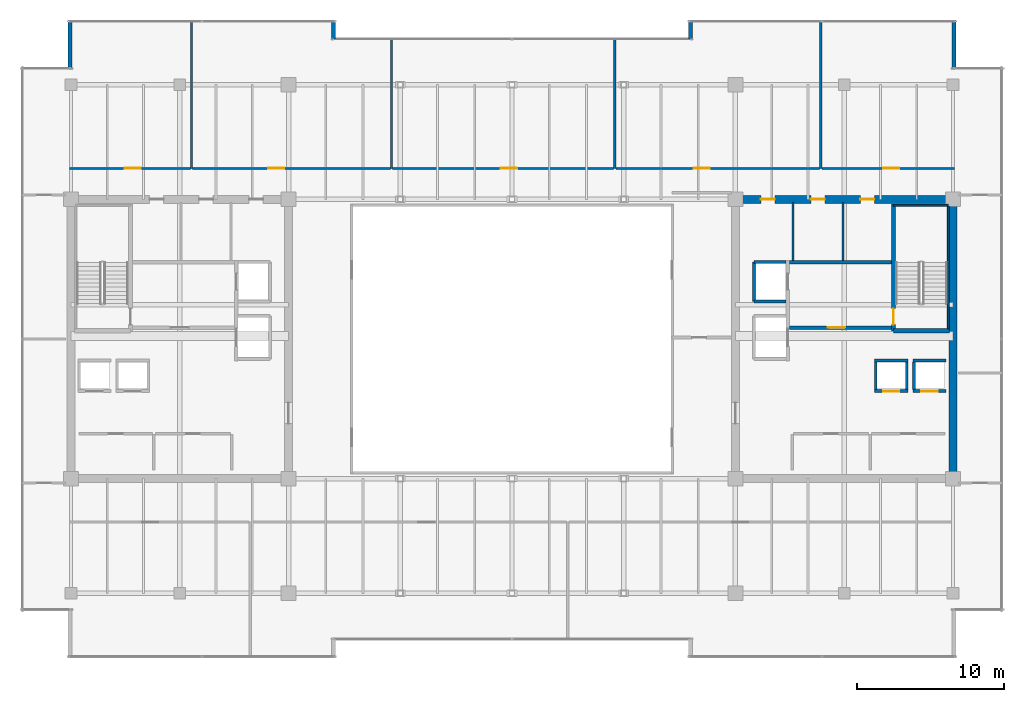
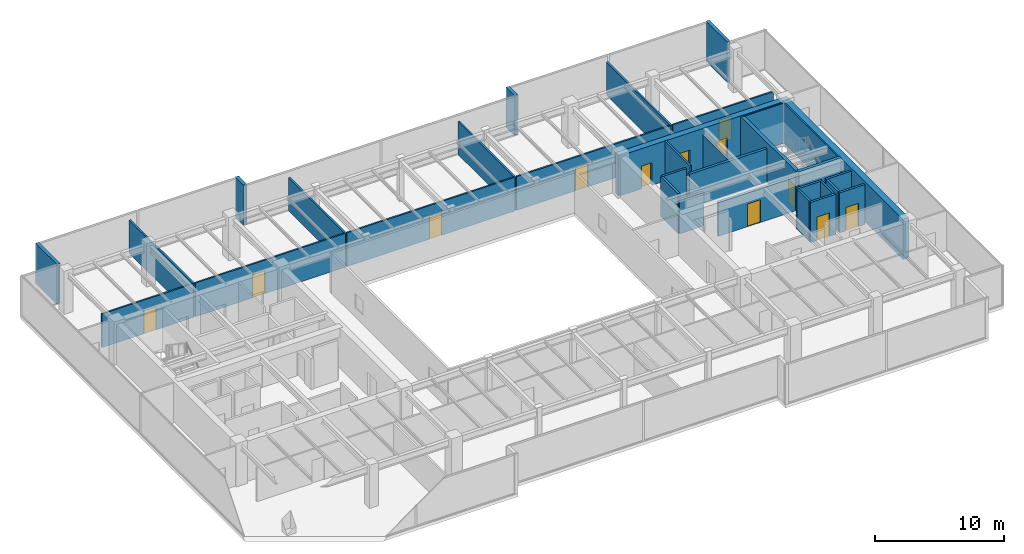
# One storey, part 30 of 33: 33 walls, 12 doors, 12 openings.
"""IFC4 building model written with IfcOpenShell, lengths in metres."""

from ifc_helpers import new_model, si_unit, direction, frame, frame_2d, origin, place, context, subcontext, project, spatial, rectangle, extrude, source, transform, mapped, material, layer, layer_set, type_object, type_shapes, element, fill, save


model = new_model("IFC4")

# Units and contexts
model_context = context("Model", 3, precision=1e-05, world=origin(), true_north=direction((0.0, 1.0)))
body_context = subcontext(model_context, "Body", "Model", "MODEL_VIEW")
ifc_project = project(units=[si_unit("LENGTHUNIT", "METRE"), si_unit("AREAUNIT", "SQUARE_METRE"), si_unit("VOLUMEUNIT", "CUBIC_METRE"), si_unit("PLANEANGLEUNIT", "RADIAN"), si_unit("MASSUNIT", "GRAM", prefix="KILO")], contexts=[model_context])

# Site, building, storey
site_placement = place(None, origin())
site = spatial("IfcSite", under=ifc_project, at=site_placement, CompositionType="ELEMENT")
building_placement = place(site_placement, origin())
building = spatial("IfcBuilding", under=site, at=building_placement, Name="Haelvirn Gate Laboratories", CompositionType="ELEMENT")
storey_placement = place(building_placement, frame((0.0, 0.0, 287.5)))
storey = spatial("IfcBuildingStorey", under=building, at=storey_placement, Name="L69", CompositionType="ELEMENT", Elevation=287.5)

# Walls
ifc_material_1 = material(Name="Thermally-broken bronze aluminium rainscreen & mineral wool", Category="aluminium")
ifc_layer_1 = layer(ifc_material_1, 0.280029296875, Name="EW-TERR-280")
ifc_layer_set_1 = layer_set([ifc_layer_1], Name="Thermally-broken bronze aluminium rainscreen & mineral wool")
wall_type_1 = type_object("IfcWallType", Name="EW-TERR-280", PredefinedType="STANDARD", material=ifc_layer_set_1)
wall_1_placement = place(storey_placement, frame((67.4599609375, 42.7119140625, 0.0), z_axis=(0.0, 0.0, 1.0), x_axis=(0.0, 1.0, 0.0)))
element("IfcWall", 1, at=wall_1_placement, inside=storey, type_object=wall_type_1, Name="L69 Atrium Recess Bronze Return Wall 09", PredefinedType="STANDARD", context=body_context, shape_type="SweptSolid", body=[
    extrude(rectangle(XDim=3.2880859375, YDim=0.280029296875, at=frame_2d((1.64404296875, 0.0))), origin(), (0.0, 0.0, 1.0), 3.800048828125),
])
for number, where, z_axis, x_axis, name in (
    (2, (49.5400390625, 46.0, 0.0), (0.0, 0.0, 1.0), (0.0, -1.0, 0.0), "L69 Atrium Recess Bronze Return Wall 11"),
    (3, (25.260009765625, 44.70703125, 0.0), (0.0, 0.0, 1.0), (0.0, 1.0, 0.0), "L69 Atrium Recess Bronze Return Wall 13"),
):
    element("IfcWall", number, at=place(storey_placement, frame(where, z_axis=z_axis, x_axis=x_axis)), inside=storey, type_object=wall_type_1, Name=name, PredefinedType="STANDARD", context=body_context, shape_type="SweptSolid", body=[
        extrude(rectangle(XDim=1.29296875, YDim=0.280029296875, at=frame_2d((0.646484375, 0.0))), origin(), (0.0, 0.0, 1.0), 3.800048828125),
    ])
wall_2_placement = place(storey_placement, frame((7.340087890625, 46.0, 0.0), z_axis=(0.0, 0.0, 1.0), x_axis=(0.0, -1.0, 0.0)))
element("IfcWall", 4, at=wall_2_placement, inside=storey, type_object=wall_type_1, Name="L69 Atrium Recess Bronze Return Wall 15", PredefinedType="STANDARD", context=body_context, shape_type="SweptSolid", body=[
    extrude(rectangle(XDim=3.2880859375, YDim=0.280029296875, at=frame_2d((1.64404296875, 0.0))), origin(), (0.0, 0.0, 1.0), 3.800048828125),
])
ifc_material_2 = material(Name="Double-layer acoustic gypsum laboratory partition", Category="gypsum")
ifc_layer_2 = layer(ifc_material_2, 0.159912109375, Name="IW-ACOUST-160")
ifc_layer_set_2 = layer_set([ifc_layer_2], Name="Double-layer acoustic gypsum laboratory partition")
wall_type_2 = type_object("IfcWallType", Name="IW-ACOUST-160", PredefinedType="PARTITIONING", material=ifc_layer_set_2)
wall_3_placement = place(storey_placement, frame((15.60009765625, 35.909912109375, 0.0), z_axis=(0.0, 0.0, 1.0), x_axis=(0.0, 1.0, 0.0)))
element("IfcWall", 5, at=wall_3_placement, inside=storey, type_object=wall_type_2, Name="L69 Interior Wall IW-L69-NDIV-01", PredefinedType="PARTITIONING", context=body_context, shape_type="SweptSolid", body=[
    extrude(rectangle(XDim=9.97998046875, YDim=0.159912109375, at=frame_2d((4.989990234375, 0.0))), origin(), (0.0, 0.0, 1.0), 3.135009765625),
])
for number, where, z_axis, x_axis, name in (
    (6, (29.199951171875, 35.909912109375, 0.0), (0.0, 0.0, 1.0), (0.0, 1.0, 0.0), "L69 Interior Wall IW-L69-NDIV-02"),
    (7, (44.39990234375, 35.909912109375, 0.0), (0.0, 0.0, 1.0), (0.0, 1.0, 0.0), "L69 Interior Wall IW-L69-NDIV-03"),
):
    element("IfcWall", number, at=place(storey_placement, frame(where, z_axis=z_axis, x_axis=x_axis)), inside=storey, type_object=wall_type_2, Name=name, PredefinedType="PARTITIONING", context=body_context, shape_type="SweptSolid", body=[
        extrude(rectangle(XDim=8.780029296875, YDim=0.159912109375, at=frame_2d((4.39013671875, 0.0))), origin(), (0.0, 0.0, 1.0), 3.135009765625),
    ])
wall_4_placement = place(storey_placement, frame((58.39990234375, 35.909912109375, 0.0), z_axis=(0.0, 0.0, 1.0), x_axis=(0.0, 1.0, 0.0)))
element("IfcWall", 8, at=wall_4_placement, inside=storey, type_object=wall_type_2, Name="L69 Interior Wall IW-L69-NDIV-04", PredefinedType="PARTITIONING", context=body_context, shape_type="SweptSolid", body=[
    extrude(rectangle(XDim=9.97998046875, YDim=0.159912109375, at=frame_2d((4.989990234375, 0.0))), origin(), (0.0, 0.0, 1.0), 3.135009765625),
])

# Wall, opening, door
ifc_material_3 = material(Name="Acoustic mineral-wool gypsum board partition", Category="gypsum")
ifc_layer_3 = layer(ifc_material_3, 0.139892578125, Name="IW-PART-140")
ifc_layer_set_3 = layer_set([ifc_layer_3], Name="Acoustic mineral-wool gypsum board partition")
wall_type_3 = type_object("IfcWallType", Name="IW-PART-140", PredefinedType="PARTITIONING", material=ifc_layer_set_3)
wall_5_placement = place(storey_placement, frame((7.31005859375, 35.909912109375, 0.0), z_axis=(0.0, 0.0, 1.0), x_axis=(1.0, 0.0, 0.0)))
wall_5 = element("IfcWall", 9, at=wall_5_placement, inside=storey, type_object=wall_type_3, Name="L69 Interior Wall IW-L69-NCORR-01", PredefinedType="PARTITIONING", context=body_context, shape_type="SweptSolid", body=[
    extrude(rectangle(XDim=8.2099609375, YDim=0.139892578125, at=frame_2d((4.10498046875, 0.0))), origin(), (0.0, 0.0, 1.0), 3.197021484375),
])
opening_1_placement = place(wall_5_placement, frame((3.747314453125, 0.0, 0.0)))
opening_1 = element("IfcOpeningElement", 10, at=opening_1_placement, cuts=wall_5, Name="Opening D1", PredefinedType="OPENING", context=body_context, shape_type="SweptSolid", body=[
    extrude(rectangle(XDim=1.10009765625, YDim=2.179931640625, at=frame_2d((0.550048828125, 1.08984375))), frame((0.0, 0.080078125, 0.0), z_axis=(0.0, -1.0, 0.0), x_axis=(1.0, 0.0, 0.0)), (0.0, 0.0, 1.0), 0.159912109375),
])
ifc_material_4 = material(Name="Vision-panel acoustic solid-core timber lab door", Category="wood")
door_type_1 = type_object("IfcDoorType", Name="DR-LAB-1100", OperationType="NOTDEFINED", PredefinedType="DOOR", material=ifc_material_4)
shared_shape_1 = source(origin(), body_context, "Body", "SweptSolid", [
    extrude(rectangle(XDim=1.10009765625, YDim=2.179931640625, at=frame_2d((0.550048828125, 1.08984375))), frame((0.0, 0.02490234375, 0.0), z_axis=(0.0, -1.0, 0.0), x_axis=(1.0, 0.0, 0.0)), (0.0, 0.0, 1.0), 0.050048828125),
])
type_shapes(door_type_1, [shared_shape_1])
door_1_placement = place(opening_1_placement, origin())
door_1 = element("IfcDoor", 11, at=door_1_placement, inside=storey, type_object=door_type_1, Name="L69 Peer-Review Seminar Room Door N1", OperationType="SINGLE_SWING_LEFT", OverallHeight=2.179931640625, OverallWidth=1.10009765625, PredefinedType="DOOR", context=body_context, shape_type="MappedRepresentation", body=[
    mapped(shared_shape_1, transform((0.0, 0.0, 0.0), scale=1.0)),
])
fill(opening_1, door_1)

wall_6_placement = place(storey_placement, frame((15.679931640625, 35.909912109375, 0.0), z_axis=(0.0, 0.0, 1.0), x_axis=(1.0, 0.0, 0.0)))
wall_6 = element("IfcWall", 12, at=wall_6_placement, inside=storey, type_object=wall_type_3, Name="L69 Interior Wall IW-L69-NCORR-02", PredefinedType="PARTITIONING", context=body_context, shape_type="SweptSolid", body=[
    extrude(rectangle(XDim=13.440185546875, YDim=0.139892578125, at=frame_2d((6.72021484375, 0.0))), origin(), (0.0, 0.0, 1.0), 3.197021484375),
])
opening_2_placement = place(wall_6_placement, frame((5.122314453125, 0.0, 0.0)))
opening_2 = element("IfcOpeningElement", 13, at=opening_2_placement, cuts=wall_6, Name="Opening D1", PredefinedType="OPENING", context=body_context, shape_type="SweptSolid", body=[
    extrude(rectangle(XDim=1.10009765625, YDim=2.179931640625, at=frame_2d((0.550048828125, 1.08984375))), frame((0.0, 0.080078125, 0.0), z_axis=(0.0, -1.0, 0.0), x_axis=(1.0, 0.0, 0.0)), (0.0, 0.0, 1.0), 0.159912109375),
])
door_2_placement = place(opening_2_placement, origin())
door_2 = element("IfcDoor", 14, at=door_2_placement, inside=storey, type_object=door_type_1, Name="L69 Scientific Reference Library Door N2", OperationType="SINGLE_SWING_RIGHT", OverallHeight=2.179931640625, OverallWidth=1.10009765625, PredefinedType="DOOR", context=body_context, shape_type="MappedRepresentation", body=[
    mapped(shared_shape_1, transform((0.0, 0.0, 0.0), scale=1.0)),
])
fill(opening_2, door_2)

wall_7_placement = place(storey_placement, frame((29.280029296875, 35.909912109375, 0.0), z_axis=(0.0, 0.0, 1.0), x_axis=(1.0, 0.0, 0.0)))
wall_7 = element("IfcWall", 15, at=wall_7_placement, inside=storey, type_object=wall_type_3, Name="L69 Interior Wall IW-L69-NCORR-03", PredefinedType="PARTITIONING", context=body_context, shape_type="SweptSolid", body=[
    extrude(rectangle(XDim=15.0400390625, YDim=0.139892578125, at=frame_2d((7.52001953125, 0.0))), origin(), (0.0, 0.0, 1.0), 3.197021484375),
])
opening_3_placement = place(wall_7_placement, frame((7.3671875, 0.0, 0.0)))
opening_3 = element("IfcOpeningElement", 16, at=opening_3_placement, cuts=wall_7, Name="Opening D1", PredefinedType="OPENING", context=body_context, shape_type="SweptSolid", body=[
    extrude(rectangle(XDim=1.10009765625, YDim=2.179931640625, at=frame_2d((0.550048828125, 1.08984375))), frame((0.0, 0.080078125, 0.0), z_axis=(0.0, -1.0, 0.0), x_axis=(1.0, 0.0, 0.0)), (0.0, 0.0, 1.0), 0.159912109375),
])
door_3_placement = place(opening_3_placement, origin())
door_3 = element("IfcDoor", 17, at=door_3_placement, inside=storey, type_object=door_type_1, Name="L69 Instrumentation Prototyping Workshop Door N3", OperationType="SINGLE_SWING_LEFT", OverallHeight=2.179931640625, OverallWidth=1.10009765625, PredefinedType="DOOR", context=body_context, shape_type="MappedRepresentation", body=[
    mapped(shared_shape_1, transform((0.0, 0.0, 0.0), scale=1.0)),
])
fill(opening_3, door_3)

wall_8_placement = place(storey_placement, frame((44.47998046875, 35.909912109375, 0.0), z_axis=(0.0, 0.0, 1.0), x_axis=(1.0, 0.0, 0.0)))
wall_8 = element("IfcWall", 18, at=wall_8_placement, inside=storey, type_object=wall_type_3, Name="L69 Interior Wall IW-L69-NCORR-04", PredefinedType="PARTITIONING", context=body_context, shape_type="SweptSolid", body=[
    extrude(rectangle(XDim=13.840087890625, YDim=0.139892578125, at=frame_2d((6.919921875, 0.0))), origin(), (0.0, 0.0, 1.0), 3.197021484375),
])
opening_4_placement = place(wall_8_placement, frame((5.286376953125, 0.0, 0.0)))
opening_4 = element("IfcOpeningElement", 19, at=opening_4_placement, cuts=wall_8, Name="Opening D1", PredefinedType="OPENING", context=body_context, shape_type="SweptSolid", body=[
    extrude(rectangle(XDim=1.10009765625, YDim=2.179931640625, at=frame_2d((0.550048828125, 1.08984375))), frame((0.0, 0.080078125, 0.0), z_axis=(0.0, -1.0, 0.0), x_axis=(1.0, 0.0, 0.0)), (0.0, 0.0, 1.0), 0.159912109375),
])
door_4_placement = place(opening_4_placement, origin())
door_4 = element("IfcDoor", 20, at=door_4_placement, inside=storey, type_object=door_type_1, Name="L69 Researcher Break Pantry Door N4", OperationType="SINGLE_SWING_RIGHT", OverallHeight=2.179931640625, OverallWidth=1.10009765625, PredefinedType="DOOR", context=body_context, shape_type="MappedRepresentation", body=[
    mapped(shared_shape_1, transform((0.0, 0.0, 0.0), scale=1.0)),
])
fill(opening_4, door_4)

wall_9_placement = place(storey_placement, frame((58.47998046875, 35.909912109375, 0.0), z_axis=(0.0, 0.0, 1.0), x_axis=(1.0, 0.0, 0.0)))
wall_9 = element("IfcWall", 21, at=wall_9_placement, inside=storey, type_object=wall_type_3, Name="L69 Interior Wall IW-L69-NCORR-05", PredefinedType="PARTITIONING", context=body_context, shape_type="SweptSolid", body=[
    extrude(rectangle(XDim=9.010009765625, YDim=0.139892578125, at=frame_2d((4.5048828125, 0.0))), origin(), (0.0, 0.0, 1.0), 3.197021484375),
])
opening_5_placement = place(wall_9_placement, frame((4.17138671875, 0.0, 0.0)))
opening_5 = element("IfcOpeningElement", 22, at=opening_5_placement, cuts=wall_9, Name="Opening D1", PredefinedType="OPENING", context=body_context, shape_type="SweptSolid", body=[
    extrude(rectangle(XDim=1.10009765625, YDim=2.179931640625, at=frame_2d((0.550048828125, 1.08984375))), frame((0.0, 0.080078125, 0.0), z_axis=(0.0, -1.0, 0.0), x_axis=(1.0, 0.0, 0.0)), (0.0, 0.0, 1.0), 0.159912109375),
])
door_5_placement = place(opening_5_placement, origin())
door_5 = element("IfcDoor", 23, at=door_5_placement, inside=storey, type_object=door_type_1, Name="L69 Floor Hydration & Tea Servery Door N5", OperationType="SINGLE_SWING_LEFT", OverallHeight=2.179931640625, OverallWidth=1.10009765625, PredefinedType="DOOR", context=body_context, shape_type="MappedRepresentation", body=[
    mapped(shared_shape_1, transform((0.0, 0.0, 0.0), scale=1.0)),
])
fill(opening_5, door_5)

# Walls
ifc_material_5 = material(Name="Cement-board restroom plumbing chase wall", Category="gypsum")
ifc_layer_4 = layer(ifc_material_5, 0.155029296875, Name="IW-PLUMB-160")
ifc_layer_set_4 = layer_set([ifc_layer_4], Name="Cement-board restroom plumbing chase wall")
wall_type_4 = type_object("IfcWallType", Name="IW-PLUMB-160", PredefinedType="PLUMBINGWALL", material=ifc_layer_set_4)
wall_10_placement = place(storey_placement, frame((59.909912109375, 29.64990234375, 0.0), z_axis=(0.0, 0.0, 1.0), x_axis=(0.0, 1.0, 0.0)))
element("IfcWall", 24, at=wall_10_placement, inside=storey, type_object=wall_type_4, Name="L69 Interior Wall IW-L69-E-CDIV-1", PredefinedType="PLUMBINGWALL", context=body_context, shape_type="SweptSolid", body=[
    extrude(rectangle(XDim=3.93017578125, YDim=0.155029296875, at=frame_2d((1.965087890625, 0.0))), origin(), (0.0, 0.0, 1.0), 3.197021484375),
])
wall_11_placement = place(storey_placement, frame((56.510009765625, 29.64990234375, 0.0), z_axis=(0.0, 0.0, 1.0), x_axis=(0.0, 1.0, 0.0)))
element("IfcWall", 25, at=wall_11_placement, inside=storey, type_object=wall_type_4, Name="L69 Interior Wall IW-L69-E-CDIV-2", PredefinedType="PLUMBINGWALL", context=body_context, shape_type="SweptSolid", body=[
    extrude(rectangle(XDim=3.93017578125, YDim=0.155029296875, at=frame_2d((1.965087890625, 0.0))), origin(), (0.0, 0.0, 1.0), 3.800048828125),
])
ifc_material_6 = material(Name="Concrete C40/50", Category="concrete")
ifc_layer_5 = layer(ifc_material_6, 0.179931640625, Name="IW-SHAFT-180")
ifc_layer_set_5 = layer_set([ifc_layer_5], Name="Concrete C40/50")
wall_type_5 = type_object("IfcWallType", Name="IW-SHAFT-180", PredefinedType="SOLIDWALL", material=ifc_layer_set_5)
for number, where, z_axis, x_axis, name in (
    (26, (64.75, 20.85009765625, 0.0), (0.0, 0.0, 1.0), (0.0, 1.0, 0.0), "L69 Interior Wall IW-L69-PL11-SD"),
    (27, (62.14990234375, 20.85009765625, 0.0), (0.0, 0.0, 1.0), (0.0, 1.0, 0.0), "L69 Interior Wall IW-L69-PL12-SD"),
    (28, (64.25, 20.85009765625, 0.0), (0.0, 0.0, 1.0), (0.0, 1.0, 0.0), "L69 Interior Wall IW-L69-PL12-SDE"),
):
    element("IfcWall", number, at=place(storey_placement, frame(where, z_axis=z_axis, x_axis=x_axis)), inside=storey, type_object=wall_type_5, Name=name, PredefinedType="SOLIDWALL", context=body_context, shape_type="SweptSolid", body=[
        extrude(rectangle(XDim=1.89990234375, YDim=0.179931640625, at=frame_2d((0.949951171875, 0.0))), origin(), (0.0, 0.0, 1.0), 3.800048828125),
    ])

# Wall, opening, door
ifc_layer_6 = layer(ifc_material_6, 0.199951171875, Name="IW-SHAFT-200")
ifc_layer_set_6 = layer_set([ifc_layer_6], Name="Concrete C40/50")
wall_type_6 = type_object("IfcWallType", Name="IW-SHAFT-200", PredefinedType="SOLIDWALL", material=ifc_layer_set_6)
wall_12_placement = place(storey_placement, frame((64.669921875, 20.75, 0.0), z_axis=(0.0, 0.0, 1.0), x_axis=(1.0, 0.0, 0.0)))
wall_12 = element("IfcWall", 29, at=wall_12_placement, inside=storey, type_object=wall_type_6, Name="L69 Interior Wall IW-L69-PL11-FR", PredefinedType="SOLIDWALL", context=body_context, shape_type="SweptSolid", body=[
    extrude(rectangle(XDim=2.260009765625, YDim=0.199951171875, at=frame_2d((1.1298828125, 0.0))), origin(), (0.0, 0.0, 1.0), 3.800048828125),
])
opening_6_placement = place(wall_12_placement, frame((0.580078125, 0.0, 0.0)))
opening_6 = element("IfcOpeningElement", 30, at=opening_6_placement, cuts=wall_12, Name="Opening LD2", PredefinedType="OPENING", context=body_context, shape_type="SweptSolid", body=[
    extrude(rectangle(XDim=1.10009765625, YDim=2.219970703125, at=frame_2d((0.550048828125, 1.10986328125))), frame((0.0, 0.10986328125, 0.0), z_axis=(0.0, -1.0, 0.0), x_axis=(1.0, 0.0, 0.0)), (0.0, 0.0, 1.0), 0.219970703125),
])
ifc_material_7 = material(Name="Bronze stainless 316L sliding lift landing door")
door_type_2 = type_object("IfcDoorType", Name="DR-LD-1100", OperationType="NOTDEFINED", PredefinedType="USERDEFINED", material=ifc_material_7)
shared_shape_2 = source(origin(), body_context, "Body", "SweptSolid", [
    extrude(rectangle(XDim=1.10009765625, YDim=2.219970703125, at=frame_2d((0.550048828125, 1.10986328125))), frame((0.0, 0.02490234375, 0.0), z_axis=(0.0, -1.0, 0.0), x_axis=(1.0, 0.0, 0.0)), (0.0, 0.0, 1.0), 0.050048828125),
])
type_shapes(door_type_2, [shared_shape_2])
door_6_placement = place(opening_6_placement, origin())
door_6 = element("IfcDoor", 31, at=door_6_placement, inside=storey, type_object=door_type_2, Name="L69 Passenger Lift PL11 Landing Door", ObjectType="LANDING_DOOR", OperationType="SLIDING_TO_LEFT", OverallHeight=2.219970703125, OverallWidth=1.10009765625, PredefinedType="USERDEFINED", context=body_context, shape_type="MappedRepresentation", body=[
    mapped(shared_shape_2, transform((0.0, 0.0, 0.0), scale=1.0)),
])
fill(opening_6, door_6)

# Wall
wall_13_placement = place(storey_placement, frame((64.669921875, 22.85009765625, 0.0), z_axis=(0.0, 0.0, 1.0), x_axis=(1.0, 0.0, 0.0)))
element("IfcWall", 32, at=wall_13_placement, inside=storey, type_object=wall_type_6, Name="L69 Interior Wall IW-L69-PL11-BK", PredefinedType="SOLIDWALL", context=body_context, shape_type="SweptSolid", body=[
    extrude(rectangle(XDim=2.260009765625, YDim=0.199951171875, at=frame_2d((1.1298828125, 0.0))), origin(), (0.0, 0.0, 1.0), 3.800048828125),
])

# Wall, opening, door
wall_14_placement = place(storey_placement, frame((62.070068359375, 20.75, 0.0), z_axis=(0.0, 0.0, 1.0), x_axis=(1.0, 0.0, 0.0)))
wall_14 = element("IfcWall", 33, at=wall_14_placement, inside=storey, type_object=wall_type_6, Name="L69 Interior Wall IW-L69-PL12-FR", PredefinedType="SOLIDWALL", context=body_context, shape_type="SweptSolid", body=[
    extrude(rectangle(XDim=2.260009765625, YDim=0.199951171875, at=frame_2d((1.1298828125, 0.0))), origin(), (0.0, 0.0, 1.0), 3.800048828125),
])
opening_7_placement = place(wall_14_placement, frame((0.580078125, 0.0, 0.0)))
opening_7 = element("IfcOpeningElement", 34, at=opening_7_placement, cuts=wall_14, Name="Opening LD2", PredefinedType="OPENING", context=body_context, shape_type="SweptSolid", body=[
    extrude(rectangle(XDim=1.10009765625, YDim=2.219970703125, at=frame_2d((0.550048828125, 1.10986328125))), frame((0.0, 0.10986328125, 0.0), z_axis=(0.0, -1.0, 0.0), x_axis=(1.0, 0.0, 0.0)), (0.0, 0.0, 1.0), 0.219970703125),
])
door_7_placement = place(opening_7_placement, origin())
door_7 = element("IfcDoor", 35, at=door_7_placement, inside=storey, type_object=door_type_2, Name="L69 Passenger Lift PL12 Landing Door", ObjectType="LANDING_DOOR", OperationType="SLIDING_TO_RIGHT", OverallHeight=2.219970703125, OverallWidth=1.10009765625, PredefinedType="USERDEFINED", context=body_context, shape_type="MappedRepresentation", body=[
    mapped(shared_shape_2, transform((0.0, 0.0, 0.0), scale=1.0)),
])
fill(opening_7, door_7)

# Walls
wall_15_placement = place(storey_placement, frame((62.070068359375, 22.85009765625, 0.0), z_axis=(0.0, 0.0, 1.0), x_axis=(1.0, 0.0, 0.0)))
element("IfcWall", 36, at=wall_15_placement, inside=storey, type_object=wall_type_6, Name="L69 Interior Wall IW-L69-PL12-BK", PredefinedType="SOLIDWALL", context=body_context, shape_type="SweptSolid", body=[
    extrude(rectangle(XDim=2.260009765625, YDim=0.199951171875, at=frame_2d((1.1298828125, 0.0))), origin(), (0.0, 0.0, 1.0), 3.800048828125),
])
wall_16_placement = place(storey_placement, frame((53.85009765625, 26.85009765625, 0.0), z_axis=(0.0, 0.0, 1.0), x_axis=(0.0, 1.0, 0.0)))
element("IfcWall", 37, at=wall_16_placement, inside=storey, type_object=wall_type_6, Name="L69 Interior Wall IW-L69-FL2-BK", PredefinedType="SOLIDWALL", context=body_context, shape_type="SweptSolid", body=[
    extrude(rectangle(XDim=2.699951171875, YDim=0.199951171875, at=frame_2d((1.35009765625, 0.0))), origin(), (0.0, 0.0, 1.0), 3.800048828125),
])
wall_17_placement = place(storey_placement, frame((53.85009765625, 29.550048828125, 0.0), z_axis=(0.0, 0.0, 1.0), x_axis=(1.0, 0.0, 0.0)))
element("IfcWall", 38, at=wall_17_placement, inside=storey, type_object=wall_type_6, Name="L69 Interior Wall IW-L69-FL2-N", PredefinedType="SOLIDWALL", context=body_context, shape_type="SweptSolid", body=[
    extrude(rectangle(XDim=2.18994140625, YDim=0.199951171875, at=frame_2d((1.094970703125, 0.0))), origin(), (0.0, 0.0, 1.0), 3.800048828125),
])
wall_18_placement = place(storey_placement, frame((53.85009765625, 26.85009765625, 0.0), z_axis=(0.0, 0.0, 1.0), x_axis=(1.0, 0.0, 0.0)))
element("IfcWall", 39, at=wall_18_placement, inside=storey, type_object=wall_type_6, Name="L69 Interior Wall IW-L69-FL2-S", PredefinedType="SOLIDWALL", context=body_context, shape_type="SweptSolid", body=[
    extrude(rectangle(XDim=2.18994140625, YDim=0.199951171875, at=frame_2d((1.094970703125, 0.0))), origin(), (0.0, 0.0, 1.0), 3.197021484375),
])

# Wall, opening, door
ifc_layer_7 = layer(ifc_material_6, 0.239990234375, Name="IW-SHAFT-240")
ifc_layer_set_7 = layer_set([ifc_layer_7], Name="Concrete C40/50")
wall_type_7 = type_object("IfcWallType", Name="IW-SHAFT-240", PredefinedType="SOLIDWALL", material=ifc_layer_set_7)
wall_19_placement = place(storey_placement, frame((56.280029296875, 25.080078125, 0.0), z_axis=(0.0, 0.0, 1.0), x_axis=(1.0, 0.0, 0.0)))
wall_19 = element("IfcWall", 40, at=wall_19_placement, inside=storey, type_object=wall_type_7, Name="L69 Interior Wall IW-L69-E-FF-S", PredefinedType="SOLIDWALL", context=body_context, shape_type="SweptSolid", body=[
    extrude(rectangle(XDim=6.919921875, YDim=0.239990234375, at=frame_2d((3.4599609375, 0.0))), origin(), (0.0, 0.0, 1.0), 3.197021484375),
])
opening_8_placement = place(wall_19_placement, frame((2.60009765625, 0.0, 0.0)))
opening_8 = element("IfcOpeningElement", 41, at=opening_8_placement, cuts=wall_19, Name="Opening FD2", PredefinedType="OPENING", context=body_context, shape_type="SweptSolid", body=[
    extrude(rectangle(XDim=1.199951171875, YDim=2.159912109375, at=frame_2d((0.60009765625, 1.080078125))), frame((0.0, 0.1298828125, 0.0), z_axis=(0.0, -1.0, 0.0), x_axis=(1.0, 0.0, 0.0)), (0.0, 0.0, 1.0), 0.260009765625),
])
ifc_material_8 = material(Name="Fire-rated steel SM355 compartment door", Category="steel")
door_type_3 = type_object("IfcDoorType", Name="DR-FD-1200", OperationType="NOTDEFINED", PredefinedType="DOOR", material=ifc_material_8)
shared_shape_3 = source(origin(), body_context, "Body", "SweptSolid", [
    extrude(rectangle(XDim=1.199951171875, YDim=2.159912109375, at=frame_2d((0.60009765625, 1.080078125))), frame((0.0, 0.02490234375, 0.0), z_axis=(0.0, -1.0, 0.0), x_axis=(1.0, 0.0, 0.0)), (0.0, 0.0, 1.0), 0.050048828125),
])
type_shapes(door_type_3, [shared_shape_3])
door_8_placement = place(opening_8_placement, origin())
door_8 = element("IfcDoor", 42, at=door_8_placement, inside=storey, type_object=door_type_3, Name="L69 East Firefighting Lobby Door", OperationType="SINGLE_SWING_LEFT", OverallHeight=2.159912109375, OverallWidth=1.199951171875, PredefinedType="DOOR", context=body_context, shape_type="MappedRepresentation", body=[
    mapped(shared_shape_3, transform((0.0, 0.0, 0.0), scale=1.0)),
])
fill(opening_8, door_8)

# Wall
wall_20_placement = place(storey_placement, frame((56.280029296875, 29.52001953125, 0.0), z_axis=(0.0, 0.0, 1.0), x_axis=(1.0, 0.0, 0.0)))
element("IfcWall", 43, at=wall_20_placement, inside=storey, type_object=wall_type_7, Name="L69 Interior Wall IW-L69-E-FF-N", PredefinedType="SOLIDWALL", context=body_context, shape_type="SweptSolid", body=[
    extrude(rectangle(XDim=6.919921875, YDim=0.239990234375, at=frame_2d((3.4599609375, 0.0))), origin(), (0.0, 0.0, 1.0), 3.197021484375),
])

# Wall, openings, doors
ifc_material_9 = material(Name="Concrete C50/60", Category="concrete")
ifc_layer_8 = layer(ifc_material_9, 0.550048828125, Name="SW-CORE-550")
ifc_layer_set_8 = layer_set([ifc_layer_8], Name="Concrete C50/60")
wall_type_8 = type_object("IfcWallType", Name="SW-CORE-550", PredefinedType="SHEAR", material=ifc_layer_set_8)
wall_21_placement = place(storey_placement, frame((52.324951171875, 33.800048828125, 0.0), z_axis=(0.0, 0.0, 1.0), x_axis=(1.0, 0.0, 0.0)))
wall_21 = element("IfcWall", 44, at=wall_21_placement, inside=storey, type_object=wall_type_8, Name="L69 E Core Shear Wall N", PredefinedType="SHEAR", context=body_context, shape_type="SweptSolid", body=[
    extrude(rectangle(XDim=15.35009765625, YDim=0.550048828125, at=frame_2d((7.675048828125, 0.0))), origin(), (0.0, 0.0, 1.0), 3.800048828125),
])
opening_9_placement = place(wall_21_placement, frame((8.77490234375, 0.0, 0.0)))
opening_9 = element("IfcOpeningElement", 45, at=opening_9_placement, cuts=wall_21, Name="Opening FD4", PredefinedType="OPENING", context=body_context, shape_type="SweptSolid", body=[
    extrude(rectangle(XDim=0.949951171875, YDim=2.14990234375, at=frame_2d((0.47509765625, 1.074951171875))), frame((0.0, 0.28515625, 0.0), z_axis=(0.0, -1.0, 0.0), x_axis=(1.0, 0.0, 0.0)), (0.0, 0.0, 1.0), 0.570068359375),
])
opening_10_placement = place(wall_21_placement, frame((5.409912109375, 0.0, 0.0)))
opening_10 = element("IfcOpeningElement", 46, at=opening_10_placement, cuts=wall_21, Name="Opening FD4", PredefinedType="OPENING", context=body_context, shape_type="SweptSolid", body=[
    extrude(rectangle(XDim=0.949951171875, YDim=2.14990234375, at=frame_2d((0.47509765625, 1.074951171875))), frame((0.0, 0.28515625, 0.0), z_axis=(0.0, -1.0, 0.0), x_axis=(1.0, 0.0, 0.0)), (0.0, 0.0, 1.0), 0.570068359375),
])
opening_11_placement = place(wall_21_placement, frame((2.010009765625, 0.0, 0.0)))
opening_11 = element("IfcOpeningElement", 47, at=opening_11_placement, cuts=wall_21, Name="Opening FD4", PredefinedType="OPENING", context=body_context, shape_type="SweptSolid", body=[
    extrude(rectangle(XDim=0.949951171875, YDim=2.14990234375, at=frame_2d((0.47509765625, 1.074951171875))), frame((0.0, 0.28515625, 0.0), z_axis=(0.0, -1.0, 0.0), x_axis=(1.0, 0.0, 0.0)), (0.0, 0.0, 1.0), 0.570068359375),
])
ifc_material_10 = material(Name="Fire-rated steel SM355 core service door", Category="steel")
door_type_4 = type_object("IfcDoorType", Name="DR-FD-950", OperationType="NOTDEFINED", PredefinedType="DOOR", material=ifc_material_10)
shared_shape_4 = source(origin(), body_context, "Body", "SweptSolid", [
    extrude(rectangle(XDim=0.949951171875, YDim=2.14990234375, at=frame_2d((0.47509765625, 1.074951171875))), frame((0.0, 0.02490234375, 0.0), z_axis=(0.0, -1.0, 0.0), x_axis=(1.0, 0.0, 0.0)), (0.0, 0.0, 1.0), 0.050048828125),
])
type_shapes(door_type_4, [shared_shape_4])
door_9_placement = place(opening_9_placement, origin())
door_9 = element("IfcDoor", 48, at=door_9_placement, inside=storey, type_object=door_type_4, Name="L69 Male Restroom Fire Door", OperationType="SINGLE_SWING_RIGHT", OverallHeight=2.14990234375, OverallWidth=0.949951171875, PredefinedType="DOOR", context=body_context, shape_type="MappedRepresentation", body=[
    mapped(shared_shape_4, transform((0.0, 0.0, 0.0), scale=1.0)),
])
fill(opening_9, door_9)
door_10_placement = place(opening_10_placement, origin())
door_10 = element("IfcDoor", 49, at=door_10_placement, inside=storey, type_object=door_type_4, Name="L69 Female Restroom Fire Door", OperationType="SINGLE_SWING_LEFT", OverallHeight=2.14990234375, OverallWidth=0.949951171875, PredefinedType="DOOR", context=body_context, shape_type="MappedRepresentation", body=[
    mapped(shared_shape_4, transform((0.0, 0.0, 0.0), scale=1.0)),
])
fill(opening_10, door_10)
door_11_placement = place(opening_11_placement, origin())
door_11 = element("IfcDoor", 50, at=door_11_placement, inside=storey, type_object=door_type_4, Name="L69 Accessible Restroom Fire Door", OperationType="SINGLE_SWING_RIGHT", OverallHeight=2.14990234375, OverallWidth=0.949951171875, PredefinedType="DOOR", context=body_context, shape_type="MappedRepresentation", body=[
    mapped(shared_shape_4, transform((0.0, 0.0, 0.0), scale=1.0)),
])
fill(opening_11, door_11)

# Walls
wall_22_placement = place(storey_placement, frame((67.39990234375, 15.074951171875, 0.0), z_axis=(0.0, 0.0, 1.0), x_axis=(0.0, 1.0, 0.0)))
element("IfcWall", 51, at=wall_22_placement, inside=storey, type_object=wall_type_8, Name="L69 E Core Shear Wall E", PredefinedType="SHEAR", context=body_context, shape_type="SweptSolid", body=[
    extrude(rectangle(XDim=18.449951171875, YDim=0.550048828125, at=frame_2d((9.22509765625, 0.0))), origin(), (0.0, 0.0, 1.0), 3.800048828125),
])
ifc_layer_9 = layer(ifc_material_9, 0.1201171875, Name="SW-LINER-120")
ifc_layer_set_9 = layer_set([ifc_layer_9], Name="Concrete C50/60")
wall_type_9 = type_object("IfcWallType", Name="SW-LINER-120", PredefinedType="SOLIDWALL", material=ifc_layer_set_9)
wall_23_placement = place(storey_placement, frame((63.35009765625, 33.39990234375, 0.0), z_axis=(0.0, 0.0, 1.0), x_axis=(1.0, 0.0, 0.0)))
element("IfcWall", 52, at=wall_23_placement, inside=storey, type_object=wall_type_9, Name="L69 E Core Stair Shaft Liner Wall N", PredefinedType="SOLIDWALL", context=body_context, shape_type="SweptSolid", body=[
    extrude(rectangle(XDim=3.719970703125, YDim=0.1201171875, at=frame_2d((1.85986328125, 0.0))), origin(), (0.0, 0.0, 1.0), 3.800048828125),
])
wall_24_placement = place(storey_placement, frame((67.070068359375, 25.0, 0.0), z_axis=(0.0, 0.0, 1.0), x_axis=(0.0, 1.0, 0.0)))
element("IfcWall", 53, at=wall_24_placement, inside=storey, type_object=wall_type_9, Name="L69 E Core Stair Shaft Liner Wall OUT", PredefinedType="SOLIDWALL", context=body_context, shape_type="SweptSolid", body=[
    extrude(rectangle(XDim=8.320068359375, YDim=0.1201171875, at=frame_2d((4.16015625, 0.0))), origin(), (0.0, 0.0, 1.0), 3.800048828125),
])

# Wall, opening, door
ifc_layer_10 = layer(ifc_material_9, 0.300048828125, Name="SW-STAIR-300")
ifc_layer_set_10 = layer_set([ifc_layer_10], Name="Concrete C50/60")
wall_type_10 = type_object("IfcWallType", Name="SW-STAIR-300", PredefinedType="SHEAR", material=ifc_layer_set_10)
wall_25_placement = place(storey_placement, frame((63.35009765625, 24.85009765625, 0.0), z_axis=(0.0, 0.0, 1.0), x_axis=(0.0, 1.0, 0.0)))
wall_25 = element("IfcWall", 54, at=wall_25_placement, inside=storey, type_object=wall_type_10, Name="L69 E Core Stair Shaft Structural Wall IN", PredefinedType="SHEAR", context=body_context, shape_type="SweptSolid", body=[
    extrude(rectangle(XDim=8.6298828125, YDim=0.300048828125, at=frame_2d((4.31494140625, 0.0))), origin(), (0.0, 0.0, 1.0), 3.800048828125),
])
opening_12_placement = place(wall_25_placement, frame((0.419921875, 0.0, 0.0)))
opening_12 = element("IfcOpeningElement", 55, at=opening_12_placement, cuts=wall_25, Name="Opening FD3", PredefinedType="OPENING", context=body_context, shape_type="SweptSolid", body=[
    extrude(rectangle(XDim=1.10009765625, YDim=2.14990234375, at=frame_2d((0.550048828125, 1.074951171875))), frame((0.0, 0.16015625, 0.0), z_axis=(0.0, -1.0, 0.0), x_axis=(1.0, 0.0, 0.0)), (0.0, 0.0, 1.0), 0.320068359375),
])
ifc_material_11 = material(Name="Fire-rated steel SM355 escape stair door", Category="steel")
door_type_5 = type_object("IfcDoorType", Name="DR-FD-1100", OperationType="NOTDEFINED", PredefinedType="DOOR", material=ifc_material_11)
shared_shape_5 = source(origin(), body_context, "Body", "SweptSolid", [
    extrude(rectangle(XDim=1.10009765625, YDim=2.14990234375, at=frame_2d((0.550048828125, 1.074951171875))), frame((0.0, 0.02490234375, 0.0), z_axis=(0.0, -1.0, 0.0), x_axis=(1.0, 0.0, 0.0)), (0.0, 0.0, 1.0), 0.050048828125),
])
type_shapes(door_type_5, [shared_shape_5])
door_12_placement = place(opening_12_placement, origin())
door_12 = element("IfcDoor", 56, at=door_12_placement, inside=storey, type_object=door_type_5, Name="L69 Escape Stair ST2 Fire Door", OperationType="SINGLE_SWING_RIGHT", OverallHeight=2.14990234375, OverallWidth=1.10009765625, PredefinedType="DOOR", context=body_context, shape_type="MappedRepresentation", body=[
    mapped(shared_shape_5, transform((0.0, 0.0, 0.0), scale=1.0)),
])
fill(opening_12, door_12)

# Wall
wall_26_placement = place(storey_placement, frame((63.35009765625, 24.85009765625, 0.0), z_axis=(0.0, 0.0, 1.0), x_axis=(1.0, 0.0, 0.0)))
element("IfcWall", 57, at=wall_26_placement, inside=storey, type_object=wall_type_10, Name="L69 E Core Stair Shaft Structural Wall S", PredefinedType="SHEAR", context=body_context, shape_type="SweptSolid", body=[
    extrude(rectangle(XDim=3.7998046875, YDim=0.300048828125, at=frame_2d((1.89990234375, 0.0))), origin(), (0.0, 0.0, 1.0), 3.800048828125),
])

save(model, "model.ifc")
